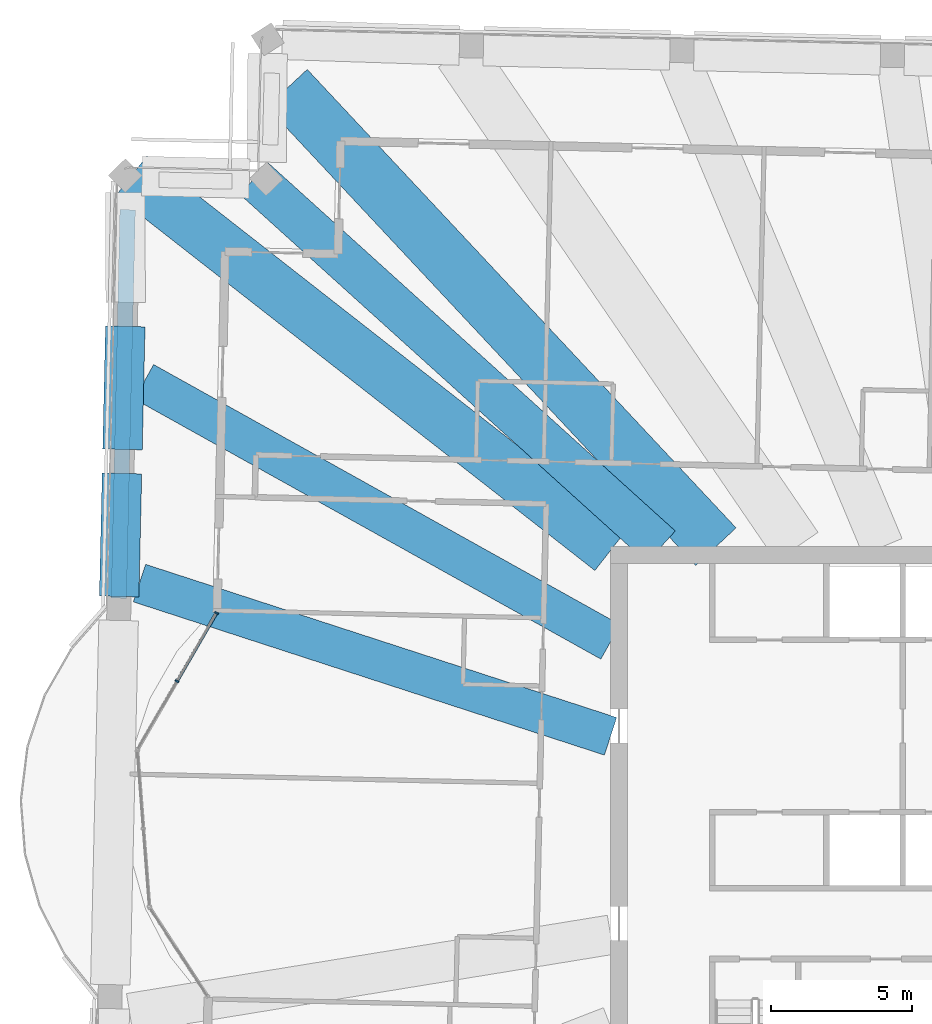
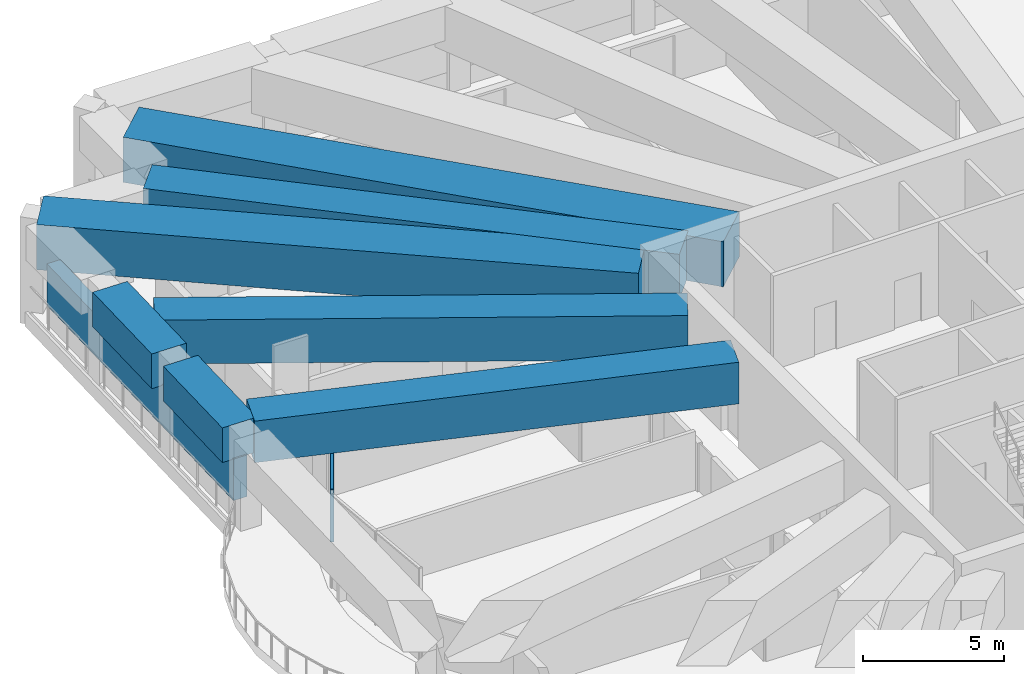
# One storey, part 5 of 21: 7 beams, 4 members, 1 element without a shape of its own.
"""IFC4 building model written with IfcOpenShell, lengths in metres."""

from ifc_helpers import new_model, si_unit, direction, frame, origin, origin_2d, place, context, subcontext, project, spatial, rectangle, extrude, material, material_profile, profile_set, type_object, element, aggregate, save


model = new_model("IFC4")

# Units and contexts
model_context = context("Model", 3, precision=1e-05, world=origin(), true_north=direction((0.0, 1.0)))
body_context = subcontext(model_context, "Body", "Model", "MODEL_VIEW")
ifc_project = project(units=[si_unit("LENGTHUNIT", "METRE"), si_unit("AREAUNIT", "SQUARE_METRE"), si_unit("VOLUMEUNIT", "CUBIC_METRE"), si_unit("PLANEANGLEUNIT", "RADIAN"), si_unit("MASSUNIT", "GRAM", prefix="KILO")], contexts=[model_context])

# Site, building, storey
site_placement = place(None, origin())
site = spatial("IfcSite", under=ifc_project, at=site_placement, CompositionType="ELEMENT")
building_placement = place(site_placement, origin())
building = spatial("IfcBuilding", under=site, at=building_placement, Name="Mangrove Gate Tower", CompositionType="ELEMENT")
storey_placement = place(building_placement, frame((0.0, 0.0, 329.699951171875)))
storey = spatial("IfcBuildingStorey", under=building, at=storey_placement, Name="L84", CompositionType="ELEMENT", Elevation=329.699951171875)

# Curtain wall, members
ifc_material_1 = material(Name="Aluminium and glass curtain wall", Category="aluminium")
curtain_wall_type = type_object("IfcCurtainWallType", Name="Crown garden glazing wall", PredefinedType="NOTDEFINED", material=ifc_material_1)
curtain_wall_placement = place(storey_placement, origin())
curtain_wall = element("IfcCurtainWall", 1, at=curtain_wall_placement, inside=storey, type_object=curtain_wall_type, Name="Crown garden glazing W9f1", PredefinedType="NOTDEFINED")
ifc_material_2 = material(Name="Aluminium alloy 6063-T6", Category="aluminium")
ifc_material_profile_1 = material_profile(ifc_material_2, rectangle(XDim=0.06005859375, YDim=0.139892578125, at=origin_2d()))
ifc_profile_set_1 = profile_set([ifc_material_profile_1], Name="Aluminium alloy 6063-T6")
member_type_1 = type_object("IfcMemberType", Name="Crown garden glazing mullion 60x140", PredefinedType="MULLION", material=ifc_profile_set_1)
member_1_placement = place(storey_placement, frame((-28.353271484375, 9.05322265625, 0.0), z_axis=(0.0, 0.0, 1.0), x_axis=(-0.500418160284, -0.865783844189, 0.0)))
member_1 = element("IfcMember", 2, at=member_1_placement, type_object=member_type_1, Name="CWC mullion 1", PredefinedType="MULLION", context=body_context, shape_type="SweptSolid", body=[
    extrude(rectangle(XDim=0.06005859375, YDim=0.139892578125, at=origin_2d()), origin(), (0.0, 0.0, 1.0), 2.25),
])
member_2_placement = place(storey_placement, frame((-29.75, 6.636962890625, 0.0), z_axis=(0.0, 0.0, 1.0), x_axis=(-0.500418160284, -0.865783844189, 0.0)))
member_2 = element("IfcMember", 3, at=member_2_placement, type_object=member_type_1, Name="CWC mullion 2", PredefinedType="MULLION", context=body_context, shape_type="SweptSolid", body=[
    extrude(rectangle(XDim=0.06005859375, YDim=0.139892578125, at=origin_2d()), origin(), (0.0, 0.0, 1.0), 2.25),
])
ifc_material_3 = material(Name="Aluminium alloy 6063-T6", Category="aluminium")
ifc_material_profile_2 = material_profile(ifc_material_3, rectangle(XDim=0.06005859375, YDim=0.110107421875, at=origin_2d()))
ifc_profile_set_2 = profile_set([ifc_material_profile_2], Name="Aluminium alloy 6063-T6")
member_type_2 = type_object("IfcMemberType", Name="Crown garden glazing transom 60x110", PredefinedType="USERDEFINED", material=ifc_profile_set_2)
member_3_placement = place(storey_placement, frame((-28.368408203125, 9.02734375, 2.219970703125), z_axis=(-0.500359513284, -0.865817739173, 0.0), x_axis=(0.0, 0.0, 1.0)))
member_3 = element("IfcMember", 4, at=member_3_placement, type_object=member_type_2, Name="CWC transom 1.2", ObjectType="TRANSOM", PredefinedType="USERDEFINED", context=body_context, shape_type="SweptSolid", body=[
    extrude(rectangle(XDim=0.06005859375, YDim=0.110107421875, at=origin_2d()), origin(), (0.0, 0.0, 1.0), 2.73095703125),
])
aggregate(curtain_wall, [member_1, member_2, member_3])

# Member
ifc_material_4 = material(Name="Planting on aluminium trellis", Category="aluminium")
ifc_material_profile_3 = material_profile(ifc_material_4, rectangle(XDim=0.550048828125, YDim=1.800048828125, at=origin_2d()))
ifc_profile_set_3 = profile_set([ifc_material_profile_3], Name="Planting on aluminium trellis")
member_type_3 = type_object("IfcMemberType", Name="Roof greenery screen 550x1800", PredefinedType="USERDEFINED", material=ifc_profile_set_3)
member_4_placement = place(storey_placement, frame((-31.81298828125, 9.574951171875, 1.699951171875), z_axis=(0.022671035137, 0.999742979053, 0.0), x_axis=(-0.999742979053, 0.022671035137, 0.0)))
element("IfcMember", 5, at=member_4_placement, inside=storey, type_object=member_type_3, Name="GREEN SCREEN L84 T1.1.25", ObjectType="PLANTING", PredefinedType="USERDEFINED", context=body_context, shape_type="SweptSolid", body=[
    extrude(rectangle(XDim=0.550048828125, YDim=1.800048828125, at=origin_2d()), origin(), (0.0, 0.0, 1.0), 13.762451171875),
])

# Beams
ifc_material_5 = material(Name="Concrete C50/60", Category="concrete")
ifc_material_profile_4 = material_profile(ifc_material_5, rectangle(XDim=1.39990234375, YDim=1.5, at=origin_2d()))
ifc_profile_set_4 = profile_set([ifc_material_profile_4], Name="Concrete C50/60")
beam_type_1 = type_object("IfcBeamType", Name="Transfer girder RC 1400x1500 C50/60", PredefinedType="BEAM", material=ifc_profile_set_4)
for number, where, z_axis, x_axis, name in (
    (6, (-31.584716796875, 19.201416015625, 3.300048828125), (-0.02268704877, -0.999742615786, 0.0), (0.999742615786, -0.02268704877, 0.0), "Transfer ring girder L84 33"),
    (7, (-31.70263671875, 13.994384765625, 3.300048828125), (-0.02268704877, -0.999742615786, 0.0), (0.999742615786, -0.02268704877, 0.0), "Transfer ring girder L84 34"),
):
    element("IfcBeam", number, at=place(storey_placement, frame(where, z_axis=z_axis, x_axis=x_axis)), inside=storey, type_object=beam_type_1, Name=name, PredefinedType="BEAM", context=body_context, shape_type="SweptSolid", body=[
        extrude(rectangle(XDim=1.39990234375, YDim=1.5, at=origin_2d()), origin(), (0.0, 0.0, 1.0), 4.3583984375),
    ])
ifc_material_6 = material(Name="Concrete C50/60", Category="concrete")
ifc_material_profile_5 = material_profile(ifc_material_6, rectangle(XDim=1.39990234375, YDim=1.800048828125, at=origin_2d()))
ifc_profile_set_5 = profile_set([ifc_material_profile_5], Name="Concrete C50/60")
beam_type_2 = type_object("IfcBeamType", Name="Transfer girder RC 1400x1800 C50/60", PredefinedType="BEAM", material=ifc_profile_set_5)
beam_1_placement = place(storey_placement, frame((-14.39990234375, 4.68359375, 3.150146484375), z_axis=(-0.950960096135, 0.309313587739, 0.0), x_axis=(-0.309313587739, -0.950960096135, 0.0)))
element("IfcBeam", 8, at=beam_1_placement, inside=storey, type_object=beam_type_2, Name="Transfer girder L84 31", PredefinedType="BEAM", context=body_context, shape_type="SweptSolid", body=[
    extrude(rectangle(XDim=1.39990234375, YDim=1.800048828125, at=origin_2d()), origin(), (0.0, 0.0, 1.0), 17.542236328125),
])
ifc_material_7 = material(Name="Concrete C50/60", Category="concrete")
ifc_material_profile_6 = material_profile(ifc_material_7, rectangle(XDim=1.39990234375, YDim=1.89990234375, at=origin_2d()))
ifc_profile_set_6 = profile_set([ifc_material_profile_6], Name="Concrete C50/60")
beam_type_3 = type_object("IfcBeamType", Name="Transfer girder RC 1400x1900 C50/60", PredefinedType="BEAM", material=ifc_profile_set_6)
beam_2_placement = place(storey_placement, frame((-14.39990234375, 8.028076171875, 3.10009765625), z_axis=(-0.873433656088, 0.486943167539, 0.0), x_axis=(-0.486943167539, -0.873433656088, 0.0)))
element("IfcBeam", 9, at=beam_2_placement, inside=storey, type_object=beam_type_3, Name="Transfer girder L84 30", PredefinedType="BEAM", context=body_context, shape_type="SweptSolid", body=[
    extrude(rectangle(XDim=1.39990234375, YDim=1.89990234375, at=origin_2d()), origin(), (0.0, 0.0, 1.0), 18.915771484375),
])
ifc_material_8 = material(Name="Concrete C50/60", Category="concrete")
ifc_material_profile_7 = material_profile(ifc_material_8, rectangle(XDim=1.5, YDim=1.949951171875, at=origin_2d()))
ifc_profile_set_7 = profile_set([ifc_material_profile_7], Name="Concrete C50/60")
beam_type_4 = type_object("IfcBeamType", Name="Transfer girder RC 1500x1950 C50/60", PredefinedType="BEAM", material=ifc_profile_set_7)
beam_3_placement = place(storey_placement, frame((-12.60888671875, 11.39990234375, 3.074951171875), z_axis=(-0.7417655025, 0.670659331778, 0.0), x_axis=(-0.670659331778, -0.7417655025, 0.0)))
element("IfcBeam", 10, at=beam_3_placement, inside=storey, type_object=beam_type_4, Name="Transfer girder L84 28", PredefinedType="BEAM", context=body_context, shape_type="SweptSolid", body=[
    extrude(rectangle(XDim=1.5, YDim=1.949951171875, at=origin_2d()), origin(), (0.0, 0.0, 1.0), 19.433349609375),
])
ifc_material_9 = material(Name="Concrete C50/60", Category="concrete")
ifc_material_profile_8 = material_profile(ifc_material_9, rectangle(XDim=1.800048828125, YDim=1.949951171875, at=origin_2d()))
ifc_profile_set_8 = profile_set([ifc_material_profile_8], Name="Concrete C50/60")
beam_type_5 = type_object("IfcBeamType", Name="Transfer girder RC 1800x1950 C50/60", PredefinedType="BEAM", material=ifc_profile_set_8)
beam_4_placement = place(storey_placement, frame((-14.39990234375, 11.26416015625, 3.074951171875), z_axis=(-0.78765516535, 0.616116336821, 0.0), x_axis=(-0.616116336821, -0.78765516535, 0.0)))
element("IfcBeam", 11, at=beam_4_placement, inside=storey, type_object=beam_type_5, Name="Transfer girder L84 29", PredefinedType="BEAM", context=body_context, shape_type="SweptSolid", body=[
    extrude(rectangle(XDim=1.800048828125, YDim=1.949951171875, at=origin_2d()), origin(), (0.0, 0.0, 1.0), 21.542236328125),
])
ifc_material_10 = material(Name="Concrete C50/60", Category="concrete")
ifc_material_profile_9 = material_profile(ifc_material_10, rectangle(XDim=1.949951171875, YDim=1.949951171875, at=origin_2d()))
ifc_profile_set_9 = profile_set([ifc_material_profile_9], Name="Concrete C50/60")
beam_type_6 = type_object("IfcBeamType", Name="Transfer girder RC 1950x1950 C50/60", PredefinedType="BEAM", material=ifc_profile_set_9)
beam_5_placement = place(storey_placement, frame((-10.66455078125, 11.39990234375, 3.074951171875), z_axis=(-0.683149194764, 0.730278835578, 0.0), x_axis=(-0.730278835578, -0.683149194764, 0.0)))
element("IfcBeam", 12, at=beam_5_placement, inside=storey, type_object=beam_type_6, Name="Transfer girder L84 27", PredefinedType="BEAM", context=body_context, shape_type="SweptSolid", body=[
    extrude(rectangle(XDim=1.949951171875, YDim=1.949951171875, at=origin_2d()), origin(), (0.0, 0.0, 1.0), 22.2333984375),
])

save(model, "model.ifc")
